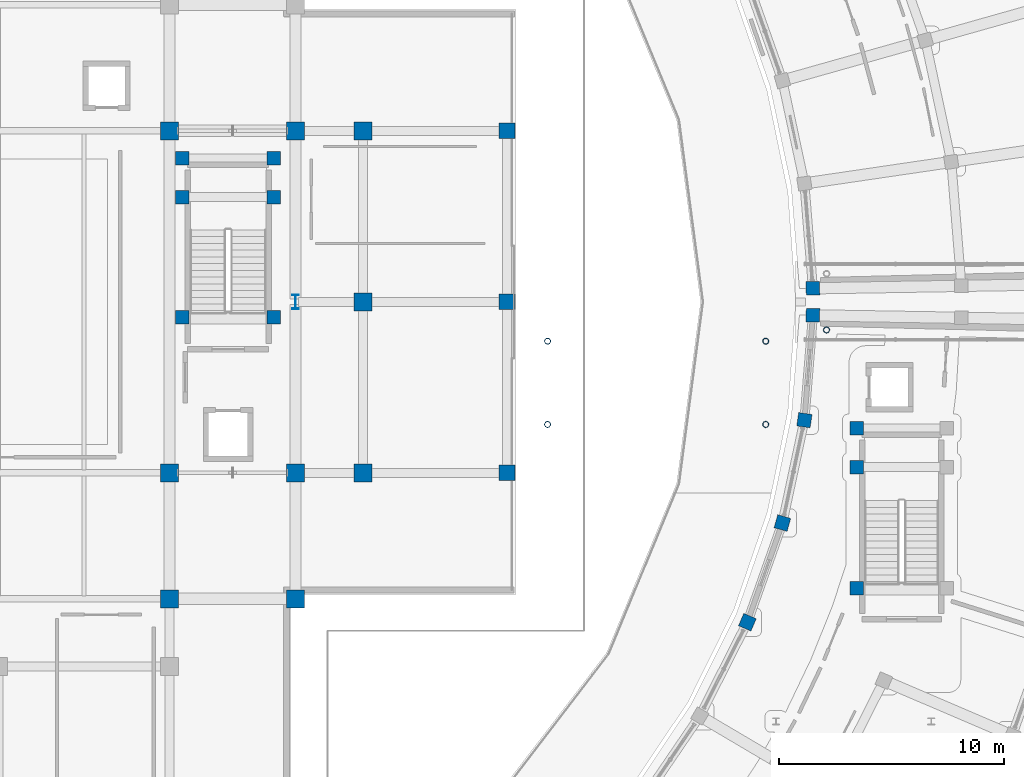
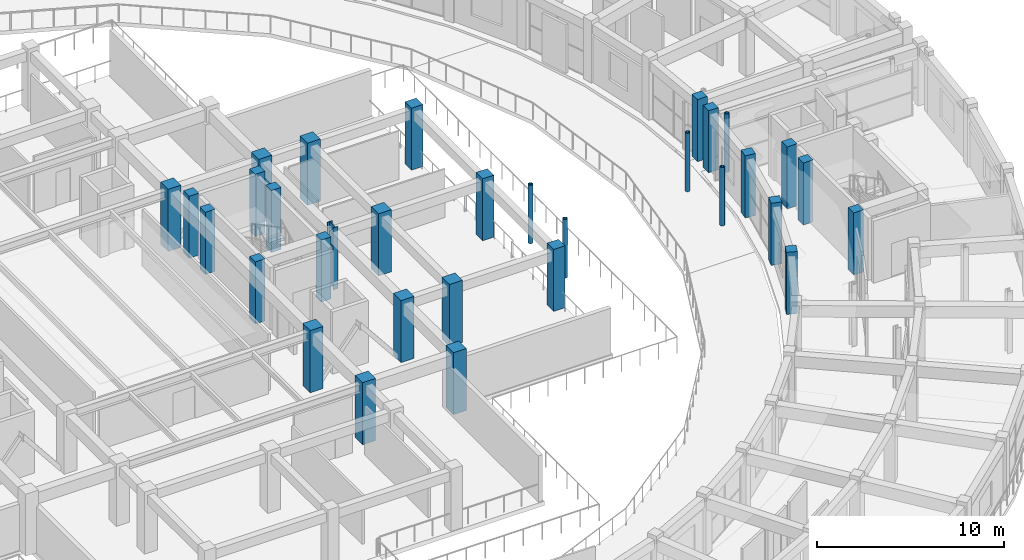
# One storey, part 7 of 83: 32 columns.
"""IFC4 building model written with IfcOpenShell, lengths in metres."""

from ifc_helpers import new_model, si_unit, direction, frame, origin, origin_2d, place, context, subcontext, project, spatial, rectangle, hollow_circle, i_section, extrude, material, material_profile, profile_set, type_object, element, save


model = new_model("IFC4")

# Units and contexts
model_context = context("Model", 3, precision=1e-05, world=origin(), true_north=direction((0.0, 1.0)))
body_context = subcontext(model_context, "Body", "Model", "MODEL_VIEW")
ifc_project = project(units=[si_unit("LENGTHUNIT", "METRE"), si_unit("AREAUNIT", "SQUARE_METRE"), si_unit("VOLUMEUNIT", "CUBIC_METRE"), si_unit("PLANEANGLEUNIT", "RADIAN"), si_unit("MASSUNIT", "GRAM", prefix="KILO")], contexts=[model_context])

# Site, building, storey
site_placement = place(None, origin())
site = spatial("IfcSite", under=ifc_project, at=site_placement, CompositionType="ELEMENT")
building_placement = place(site_placement, origin())
building = spatial("IfcBuilding", under=site, at=building_placement, Name="Saryqyr Civic Hall", CompositionType="ELEMENT")
storey_placement = place(building_placement, frame((0.0, 0.0, 9.14990234375)))
storey = spatial("IfcBuildingStorey", under=building, at=storey_placement, Name="L02", CompositionType="ELEMENT", Elevation=9.14990234375)

# Columns
ifc_material_1 = material(Name="Steel S355", Category="steel")
ifc_material_profile_1 = material_profile(ifc_material_1, hollow_circle(Radius=0.136474609375, WallThickness=0.01611328125, at=origin_2d()), Name="CHS 273x16")
ifc_profile_set_1 = profile_set([ifc_material_profile_1], Name="Steel S355")
column_type_1 = type_object("IfcColumnType", Name="STR-COL-CHS273-S355", PredefinedType="COLUMN", material=ifc_profile_set_1)
for number, where, z_axis, x_axis, name in (
    (1, (93.800048828125, 82.75, 0.0), (0.0, 0.0, 1.0), (1.0, 0.0, 0.0), "Column BRCOL-BR-E-1-L02"),
    (2, (81.39990234375, 78.550048828125, 0.0), (0.0, 0.0, 1.0), (1.0, 0.0, 0.0), "Column BRCOL-BR-CE-1-L02"),
    (3, (91.09765625, 78.550048828125, 0.0), (0.0, 0.0, 1.0), (1.0, 0.0, 0.0), "Column BRCOL-BR-CE-2-L02"),
    (4, (91.09765625, 82.25, 0.0), (0.0, 0.0, 1.0), (1.0, 0.0, 0.0), "Column BRCOL-BR-CE-3-L02"),
    (5, (81.39990234375, 82.25, 0.0), (0.0, 0.0, 1.0), (1.0, 0.0, 0.0), "Column BRCOL-BR-CE-4-L02"),
):
    element("IfcColumn", number, at=place(storey_placement, frame(where, z_axis=z_axis, x_axis=x_axis)), inside=storey, type_object=column_type_1, Name=name, PredefinedType="COLUMN", context=body_context, shape_type="SweptSolid", body=[
        extrude(hollow_circle(Radius=0.136474609375, WallThickness=0.01611328125, at=origin_2d()), origin(), (0.0, 0.0, 1.0), 3.820068359375),
    ])
ifc_material_profile_2 = material_profile(ifc_material_1, i_section(OverallWidth=0.300048828125, OverallDepth=0.64990234375, WebThickness=0.01611328125, FlangeThickness=0.031005859375, at=origin_2d()), Name="HEB 650")
ifc_profile_set_2 = profile_set([ifc_material_profile_2], Name="Steel S355")
column_type_2 = type_object("IfcColumnType", Name="STR-COL-HEB650-S355", PredefinedType="COLUMN", material=ifc_profile_set_2)
column_placement = place(storey_placement, frame((70.199951171875, 84.0, 0.0), z_axis=(0.0, 0.0, 1.0), x_axis=(1.0, 0.0, 0.0)))
element("IfcColumn", 6, at=column_placement, inside=storey, type_object=column_type_2, Name="Column V1-GCOL-E-L02", PredefinedType="COLUMN", context=body_context, shape_type="SweptSolid", body=[
    extrude(i_section(OverallWidth=0.300048828125, OverallDepth=0.64990234375, WebThickness=0.01611328125, FlangeThickness=0.031005859375, at=origin_2d()), origin(), (0.0, 0.0, 1.0), 4.050048828125),
])
ifc_material_2 = material(Name="Concrete C40/50", Category="concrete")
ifc_material_profile_3 = material_profile(ifc_material_2, rectangle(XDim=0.60009765625, YDim=0.60009765625, at=origin_2d()), Name="RC 600x600")
ifc_profile_set_3 = profile_set([ifc_material_profile_3], Name="Concrete C40/50")
column_type_3 = type_object("IfcColumnType", Name="STR-COL-RC600-C40", PredefinedType="COLUMN", material=ifc_profile_set_3)
for number, where, z_axis, x_axis, name in (
    (7, (90.281494140625, 69.759521484375, 0.0), (0.0, 0.0, 1.0), (0.919410138581, -0.393300136124, 0.0), "Column V5-COL-IN07-L02"),
    (8, (91.839111328125, 74.167724609375, 0.0), (0.0, 0.0, 1.0), (0.962407846499, -0.271608425858, 0.0), "Column V5-COL-IN08-L02"),
    (9, (92.81591796875, 78.739990234375, 0.0), (0.0, 0.0, 1.0), (0.989374077068, -0.145392350643, 0.0), "Column V5-COL-IN09-L02"),
    (10, (93.195068359375, 83.39990234375, 0.0), (0.0, 0.0, 1.0), (0.999862544538, -0.016579868188, 0.0), "Column V5-COL-IN10-L02"),
    (11, (93.195068359375, 84.60009765625, 0.0), (0.0, 0.0, 1.0), (0.999862544538, 0.016579868188, 0.0), "Column V6-COL-IN00-L02"),
    (12, (69.239990234375, 83.31494140625, 0.0), (0.0, 0.0, 1.0), (1.0, 0.0, 0.0), "Column ST-2-SCOL-TRMA-L02"),
    (13, (65.159912109375, 83.31494140625, 0.0), (0.0, 0.0, 1.0), (1.0, 0.0, 0.0), "Column ST-2-SCOL-TRMB-L02"),
    (14, (69.239990234375, 88.64990234375, 0.0), (0.0, 0.0, 1.0), (1.0, 0.0, 0.0), "Column ST-2-SCOL-LND1A-L02"),
    (15, (65.159912109375, 88.64990234375, 0.0), (0.0, 0.0, 1.0), (1.0, 0.0, 0.0), "Column ST-2-SCOL-LND1B-L02"),
    (16, (69.239990234375, 90.3798828125, 0.0), (0.0, 0.0, 1.0), (1.0, 0.0, 0.0), "Column ST-2-SCOL-LND2A-L02"),
    (17, (65.159912109375, 90.3798828125, 0.0), (0.0, 0.0, 1.0), (1.0, 0.0, 0.0), "Column ST-2-SCOL-LND2B-L02"),
    (18, (95.139892578125, 71.27490234375, 0.0), (0.0, 0.0, 1.0), (1.0, 0.0, 0.0), "Column ST-5-SCOL-TRMB-L02"),
    (19, (95.139892578125, 76.64990234375, 0.0), (0.0, 0.0, 1.0), (1.0, 0.0, 0.0), "Column ST-5-SCOL-LND1B-L02"),
    (20, (95.139892578125, 78.3798828125, 0.0), (0.0, 0.0, 1.0), (1.0, 0.0, 0.0), "Column ST-5-SCOL-LND2B-L02"),
):
    element("IfcColumn", number, at=place(storey_placement, frame(where, z_axis=z_axis, x_axis=x_axis)), inside=storey, type_object=column_type_3, Name=name, PredefinedType="COLUMN", context=body_context, shape_type="SweptSolid", body=[
        extrude(rectangle(XDim=0.60009765625, YDim=0.60009765625, at=origin_2d()), origin(), (0.0, 0.0, 1.0), 4.050048828125),
    ])
ifc_material_profile_4 = material_profile(ifc_material_2, rectangle(XDim=0.699951171875, YDim=0.699951171875, at=origin_2d()), Name="RC 700x700")
ifc_profile_set_4 = profile_set([ifc_material_profile_4], Name="Concrete C40/50")
column_type_4 = type_object("IfcColumnType", Name="STR-COL-RC700-C40", PredefinedType="COLUMN", material=ifc_profile_set_4)
for number, where, z_axis, x_axis, name in (
    (21, (79.60009765625, 76.39990234375, 0.0), (0.0, 0.0, 1.0), (1.0, 0.0, 0.0), "Column V1-COL-S1P04-L02"),
    (22, (79.60009765625, 84.0, 0.0), (0.0, 0.0, 1.0), (1.0, 0.0, 0.0), "Column V1-COL-S1P05-L02"),
    (23, (79.60009765625, 91.60009765625, 0.0), (0.0, 0.0, 1.0), (1.0, 0.0, 0.0), "Column V1-COL-S1P06-L02"),
):
    element("IfcColumn", number, at=place(storey_placement, frame(where, z_axis=z_axis, x_axis=x_axis)), inside=storey, type_object=column_type_4, Name=name, PredefinedType="COLUMN", context=body_context, shape_type="SweptSolid", body=[
        extrude(rectangle(XDim=0.699951171875, YDim=0.699951171875, at=origin_2d()), origin(), (0.0, 0.0, 1.0), 4.050048828125),
    ])
ifc_material_profile_5 = material_profile(ifc_material_2, rectangle(XDim=0.800048828125, YDim=0.800048828125, at=origin_2d()), Name="RC 800x800")
ifc_profile_set_5 = profile_set([ifc_material_profile_5], Name="Concrete C40/50")
column_type_5 = type_object("IfcColumnType", Name="STR-COL-RC800-C40", PredefinedType="COLUMN", material=ifc_profile_set_5)
for number, where, z_axis, x_axis, name in (
    (24, (64.60009765625, 70.800048828125, 0.0), (0.0, 0.0, 1.0), (1.0, 0.0, 0.0), "Column V1-COL-C31-L02"),
    (25, (64.60009765625, 76.39990234375, 0.0), (0.0, 0.0, 1.0), (1.0, 0.0, 0.0), "Column V1-COL-C32-L02"),
    (26, (64.60009765625, 91.60009765625, 0.0), (0.0, 0.0, 1.0), (1.0, 0.0, 0.0), "Column V1-COL-C33-L02"),
    (27, (70.199951171875, 70.800048828125, 0.0), (0.0, 0.0, 1.0), (1.0, 0.0, 0.0), "Column V1-COL-C41-L02"),
    (28, (70.199951171875, 76.39990234375, 0.0), (0.0, 0.0, 1.0), (1.0, 0.0, 0.0), "Column V1-COL-C42-L02"),
    (29, (70.199951171875, 91.60009765625, 0.0), (0.0, 0.0, 1.0), (1.0, 0.0, 0.0), "Column V1-COL-C43-L02"),
    (30, (73.199951171875, 76.39990234375, 0.0), (0.0, 0.0, 1.0), (1.0, 0.0, 0.0), "Column V1-COL-S3P04-L02"),
    (31, (73.199951171875, 84.0, 0.0), (0.0, 0.0, 1.0), (1.0, 0.0, 0.0), "Column V1-COL-S3P05-L02"),
    (32, (73.199951171875, 91.60009765625, 0.0), (0.0, 0.0, 1.0), (1.0, 0.0, 0.0), "Column V1-COL-S3P06-L02"),
):
    element("IfcColumn", number, at=place(storey_placement, frame(where, z_axis=z_axis, x_axis=x_axis)), inside=storey, type_object=column_type_5, Name=name, PredefinedType="COLUMN", context=body_context, shape_type="SweptSolid", body=[
        extrude(rectangle(XDim=0.800048828125, YDim=0.800048828125, at=origin_2d()), origin(), (0.0, 0.0, 1.0), 4.050048828125),
    ])

save(model, "model.ifc")
